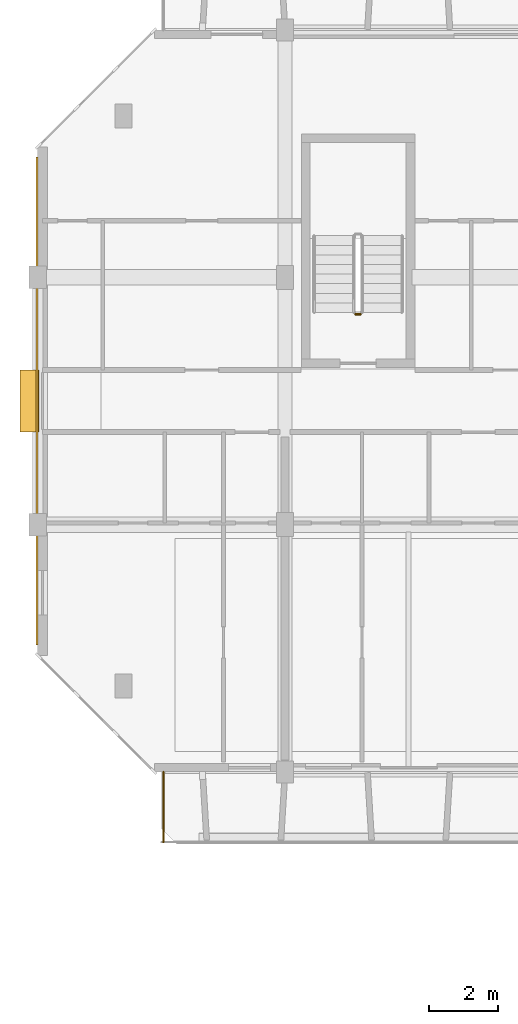
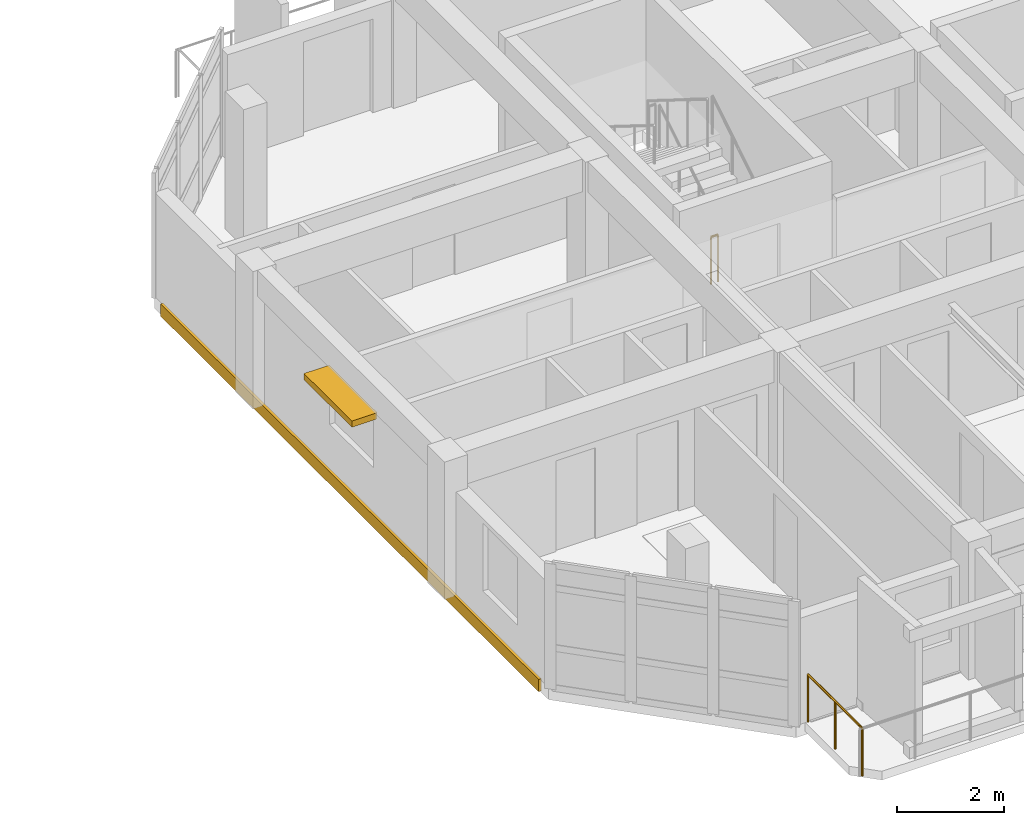
# One storey, part 52 of 64: 2 railings, 1 covering, 1 shading device.
"""IFC4 building model written with IfcOpenShell, lengths in metres."""

import ifcopenshell
import ifcopenshell.guid

model = None  # the IFC model being written
_history = None  # IfcOwnerHistory: only IFC2X3 demands one
_inside = {}  # id of a spatial element -> (the spatial element, [elements in it])
_under = {}  # id of a project, library or spatial element -> (it, [spatial elements below it])
_declared = {}  # id of a project -> (the project, [libraries it declares])
_typed = {}  # id of a type object -> (the type object, [elements of that type])
_made_of = {}  # id of a material, layer set ... -> (it, [elements and type objects made of it])


def new_model(schema):
    """Start an empty IFC model of exactly this schema.

    Asked for "IFC4X3", IfcOpenShell would pick the latest addendum, in which some entities
    have other attributes; the version numbers below select the first issue.
    IFC2X3 requires an IfcOwnerHistory on every rooted entity: one is made here for all.
    """
    global model, _history
    if schema == "IFC4X3":
        model = ifcopenshell.file(schema_version=(4, 3, 0, 0))
    else:
        model = ifcopenshell.file(schema=schema)
    _inside.clear()
    _under.clear()
    _declared.clear()
    _typed.clear()
    _made_of.clear()
    _history = None
    if model.schema == "IFC2X3":
        org = make("IfcOrganization", Name="unknown")
        user = make(
            "IfcPersonAndOrganization",
            ThePerson=make("IfcPerson", FamilyName="unknown"),
            TheOrganization=org,
        )
        app = make(
            "IfcApplication",
            ApplicationDeveloper=org,
            Version="unknown",
            ApplicationFullName="unknown",
            ApplicationIdentifier="unknown",
        )
        _history = make(
            "IfcOwnerHistory",
            OwningUser=user,
            OwningApplication=app,
            ChangeAction="ADDED",
            CreationDate=0,
        )
    return model


def make(cls, **values):
    """One entity of the class cls with the attributes given. An attribute that is None is left unset."""
    return model.create_entity(
        cls, **{name: value for name, value in values.items() if value is not None}
    )


def rooted(cls, **values):
    """An entity with a GlobalId (a new one), such as an element, a storey or a relation."""
    return make(cls, GlobalId=ifcopenshell.guid.new(), OwnerHistory=_history, **values)


def si_unit(unit_type, name, prefix=None):
    """IfcSIUnit, for example si_unit("LENGTHUNIT", "METRE", prefix="MILLI")."""
    return make("IfcSIUnit", UnitType=unit_type, Prefix=prefix, Name=name)


def assignment(units):
    """IfcUnitAssignment: the units of a project."""
    return None if units is None else make("IfcUnitAssignment", Units=units)


def point(xyz):
    """IfcCartesianPoint."""
    return None if xyz is None else make("IfcCartesianPoint", Coordinates=xyz)


def direction(xyz):
    """IfcDirection."""
    return None if xyz is None else make("IfcDirection", DirectionRatios=xyz)


def frame(location, z_axis=None, x_axis=None):
    """IfcAxis2Placement3D, a coordinate frame: its origin and axes. An axis left out is left unset."""
    return make(
        "IfcAxis2Placement3D",
        Location=point(location),
        Axis=direction(z_axis),
        RefDirection=direction(x_axis),
    )


def frame_2d(location, x_axis=None):
    """IfcAxis2Placement2D, a coordinate frame in the plane: its origin and x axis."""
    return make(
        "IfcAxis2Placement2D", Location=point(location), RefDirection=direction(x_axis)
    )


def origin():
    """The frame at (0, 0, 0) with its axes left unset."""
    return frame((0.0, 0.0, 0.0))


def origin_2d():
    """The frame at (0, 0) in the plane with its x axis left unset."""
    return frame_2d((0.0, 0.0))


def place(relative_to, where):
    """IfcLocalPlacement: puts the frame where relative to a parent placement (None: the world)."""
    return make(
        "IfcLocalPlacement", PlacementRelTo=relative_to, RelativePlacement=where
    )


def context(
    kind, dimensions, precision=None, world=None, true_north=None, identifier=None
):
    """IfcGeometricRepresentationContext, for example the 3D "Model" context."""
    return make(
        "IfcGeometricRepresentationContext",
        ContextIdentifier=identifier,
        ContextType=kind,
        CoordinateSpaceDimension=dimensions,
        Precision=precision,
        WorldCoordinateSystem=world,
        TrueNorth=true_north,
    )


def subcontext(parent, identifier, kind, view, scale=None):
    """IfcGeometricRepresentationSubContext, for example "Body" below "Model"."""
    return make(
        "IfcGeometricRepresentationSubContext",
        ContextIdentifier=identifier,
        ContextType=kind,
        ParentContext=parent,
        TargetScale=scale,
        TargetView=view,
    )


def project(units=None, contexts=None):
    """IfcProject with its units and contexts."""
    return rooted(
        "IfcProject",
        Name="project",
        RepresentationContexts=contexts,
        UnitsInContext=assignment(units),
    )


def spatial(cls, under=None, at=None, **own):
    """A site, building, storey or space (cls), placed at a placement, below another one or the project."""
    s = rooted(cls, ObjectPlacement=at, **own)
    if under is not None:
        _under.setdefault(under.id(), (under, []))[1].append(s)
    return s


def profile(cls, at=None, kind="AREA", **sizes):
    """A parametric profile (cls). Its sizes go by their IFC names, for example OverallWidth=200.0."""
    return make(cls, ProfileType=kind, Position=at, **sizes)


def rectangle(**sizes):
    """IfcRectangleProfileDef."""
    return profile("IfcRectangleProfileDef", **sizes)


def circle(**sizes):
    """IfcCircleProfileDef."""
    return profile("IfcCircleProfileDef", **sizes)


def extrude(swept, where, along, depth):
    """IfcExtrudedAreaSolid: the profile swept, set in the frame where, extruded along a direction by depth."""
    return make(
        "IfcExtrudedAreaSolid",
        SweptArea=swept,
        Position=where,
        ExtrudedDirection=direction(along),
        Depth=depth,
    )


def shape(context_of_items, identifier, shape_type, items):
    """IfcShapeRepresentation: the items that make up one representation, for example the "Body"."""
    return make(
        "IfcShapeRepresentation",
        ContextOfItems=context_of_items,
        RepresentationIdentifier=identifier,
        RepresentationType=shape_type,
        Items=items,
    )


def material(Name=None, Category=None):
    """IfcMaterial."""
    return make("IfcMaterial", Name=Name, Category=Category)


def layer(
    of_material, thickness, ventilated=None, Name=None, Category=None, Priority=None
):
    """IfcMaterialLayer: one layer of a wall or slab, of a material (None: an air gap)."""
    return make(
        "IfcMaterialLayer",
        Material=of_material,
        LayerThickness=thickness,
        IsVentilated=ventilated,
        Name=Name,
        Category=Category,
        Priority=Priority,
    )


def layer_set(layers, Name=None):
    """IfcMaterialLayerSet."""
    return make("IfcMaterialLayerSet", MaterialLayers=layers, LayerSetName=Name)


def made_of(thing, what):
    """Note that an element or type object is made of a material, layer set ...; save() writes the relation."""
    if what is not None:
        _made_of.setdefault(what.id(), (what, []))[1].append(thing)
    return thing


def type_object(cls, material=None, **own):
    """A type object (cls), such as IfcWallType, which elements share."""
    return made_of(rooted(cls, **own), material)


def element(
    cls,
    number,
    at=None,
    inside=None,
    cuts=None,
    type_object=None,
    material=None,
    context=None,
    identifier="Body",
    shape_type=None,
    held_by="IfcProductDefinitionShape",
    body=None,
    shapes=None,
    **own,
):
    """One element of the class cls, such as IfcWall. Its Tag is "e" and its number.

    at: its placement. inside: the storey or other place that contains it. cuts: it is an
    opening in that element (IfcRelVoidsElement). A single representation is given by context,
    identifier, shape_type and body (its items); several are given by shapes. held_by: the class
    of the entity that holds the representations. save() writes the other relations.
    """
    e = rooted(cls, Tag="e%d" % number, ObjectPlacement=at, **own)
    if body is not None:
        shapes = [shape(context, identifier, shape_type, body)]
    if shapes is not None:
        e.Representation = make(held_by, Representations=shapes)
    if inside is not None:
        _inside.setdefault(inside.id(), (inside, []))[1].append(e)
    if cuts is not None:
        rooted(
            "IfcRelVoidsElement", RelatingBuildingElement=cuts, RelatedOpeningElement=e
        )
    if type_object is not None:
        _typed.setdefault(type_object.id(), (type_object, []))[1].append(e)
    return made_of(e, material)


def aggregate(whole, parts):
    """IfcRelAggregates: a whole, such as a stair, and the parts it consists of."""
    return rooted("IfcRelAggregates", RelatingObject=whole, RelatedObjects=parts)


def save(model, path):
    """Write the relations noted so far, then the file.

    IfcRelAggregates (storeys below a building ...), IfcRelContainedInSpatialStructure (elements
    in a storey), IfcRelDefinesByType, IfcRelAssociatesMaterial and IfcRelDeclares: one each for
    every whole, place, type object, material and project.
    """
    for whole, parts in _under.values():
        aggregate(whole, parts)
    for where, things in _inside.values():
        rooted(
            "IfcRelContainedInSpatialStructure",
            RelatedElements=things,
            RelatingStructure=where,
        )
    for kind, things in _typed.values():
        rooted("IfcRelDefinesByType", RelatedObjects=things, RelatingType=kind)
    for what, things in _made_of.values():
        rooted("IfcRelAssociatesMaterial", RelatedObjects=things, RelatingMaterial=what)
    for by, libraries in _declared.values():
        rooted("IfcRelDeclares", RelatingContext=by, RelatedDefinitions=libraries)
    model.write(path)


model = new_model("IFC4")

# Units and contexts
model_context = context("Model", 3, precision=1e-05, world=origin(), true_north=direction((0.0, 1.0)))
body_context = subcontext(model_context, "Body", "Model", "MODEL_VIEW")
ifc_project = project(units=[si_unit("LENGTHUNIT", "METRE"), si_unit("AREAUNIT", "SQUARE_METRE"), si_unit("VOLUMEUNIT", "CUBIC_METRE"), si_unit("PLANEANGLEUNIT", "RADIAN"), si_unit("MASSUNIT", "GRAM", prefix="KILO")], contexts=[model_context])

# Site, building, storey
site_placement = place(None, origin())
site = spatial("IfcSite", under=ifc_project, at=site_placement, CompositionType="ELEMENT")
building_placement = place(site_placement, origin())
building = spatial("IfcBuilding", under=site, at=building_placement, Name="Ochrevale Crest", CompositionType="ELEMENT")
storey_placement = place(building_placement, frame((0.0, 0.0, 8.699951171875)))
storey = spatial("IfcBuildingStorey", under=building, at=storey_placement, Name="L02", CompositionType="ELEMENT", Elevation=8.699951171875)

# Covering
ifc_material_1 = material(Name="Glazed terracotta rainscreen tile", Category="masonry")
ifc_layer = layer(ifc_material_1, 0.048095703125)
ifc_layer_set = layer_set([ifc_layer], Name="Glazed terracotta rainscreen tile")
covering_type = type_object("IfcCoveringType", Name="COV-CLAD-TER", PredefinedType="CLADDING", material=ifc_layer_set)
covering_placement = place(storey_placement, frame((-0.014404296875, 25.199951171875, -0.259765625), z_axis=(0.0, 0.0, 1.0), x_axis=(0.0, -1.0, 0.0)))
element("IfcCovering", 1, at=covering_placement, inside=storey, type_object=covering_type, Name="Block A L02 terracotta slab-edge spandrel cladding", PredefinedType="CLADDING", context=body_context, shape_type="SweptSolid", body=[
    extrude(rectangle(XDim=14.199951171875, YDim=0.06005859375, at=origin_2d()), origin(), (0.0, 0.0, 1.0), 0.280029296875),
])

# Railings
ifc_material_2 = material(Name="Galvanised steel", Category="steel")
railing_type_1 = type_object("IfcRailingType", Name="RL-BAL-1100", PredefinedType="BALUSTRADE", material=ifc_material_2)
railing_1_placement = place(storey_placement, frame((3.659912109375, 14.39990234375, 0.0)))
element("IfcRailing", 2, at=railing_1_placement, inside=storey, type_object=railing_type_1, Name="Block A L02 S-W balcony side guard", PredefinedType="BALUSTRADE", context=body_context, shape_type="SweptSolid", body=[
    extrude(circle(Radius=0.02392578125, at=origin_2d()), frame((0.0, 0.0, 1.0859375), z_axis=(0.0, -1.0, 0.0), x_axis=(1.0, 0.0, 0.0)), (0.0, 0.0, 1.0), 2.039794921875),
    extrude(circle(Radius=0.02099609375, at=origin_2d()), origin(), (0.0, 0.0, 1.0), 1.06201171875),
    extrude(circle(Radius=0.02099609375, at=origin_2d()), frame((0.0, -1.02001953125, 0.0)), (0.0, 0.0, 1.0), 1.06201171875),
    extrude(circle(Radius=0.02099609375, at=origin_2d()), frame((0.0, -2.039794921875, 0.0)), (0.0, 0.0, 1.0), 1.06201171875),
])
railing_type_2 = type_object("IfcRailingType", Name="RL-ST-GUARD", PredefinedType="BALUSTRADE", material=ifc_material_2)
railing_2_placement = place(storey_placement, frame((9.39990234375, 27.72509765625, 0.0)))
element("IfcRailing", 3, at=railing_2_placement, inside=storey, type_object=railing_type_2, Name="L02 ST-A1 stair guard 4", PredefinedType="BALUSTRADE", context=body_context, shape_type="SweptSolid", body=[
    extrude(circle(Radius=0.02392578125, at=origin_2d()), frame((0.0, 0.0, 1.076171875), z_axis=(-1.0, 0.0, 0.0), x_axis=(0.0, -1.0, 0.0)), (0.0, 0.0, 1.0), 0.14990234375),
    extrude(circle(Radius=0.02099609375, at=origin_2d()), origin(), (0.0, 0.0, 1.0), 1.052001953125),
    extrude(circle(Radius=0.02099609375, at=origin_2d()), frame((-0.14990234375, 0.0, 0.0)), (0.0, 0.0, 1.0), 1.052001953125),
])

# Shading device
ifc_material_3 = material(Name="Anodised aluminium 6063-T5", Category="aluminium")
shading_device_type = type_object("IfcShadingDeviceType", Name="SHD-SUNSHADE-OC", PredefinedType="USERDEFINED", material=ifc_material_3)
shading_device_placement = place(storey_placement, frame((-0.239990234375, 25.199951171875, 2.2099609375), z_axis=(0.0, 0.0, 1.0), x_axis=(1.0, 0.0, 0.0)))
element("IfcShadingDevice", 4, at=shading_device_placement, inside=storey, type_object=shading_device_type, Name="Block A L02 gable window sunshade W", ObjectType="HORIZONTAL SUNSHADE", PredefinedType="USERDEFINED", context=body_context, shape_type="SweptSolid", body=[
    extrude(rectangle(XDim=0.550048828125, YDim=1.800048828125, at=origin_2d()), origin(), (0.0, 0.0, 1.0), 0.139892578125),
])

save(model, "model.ifc")
